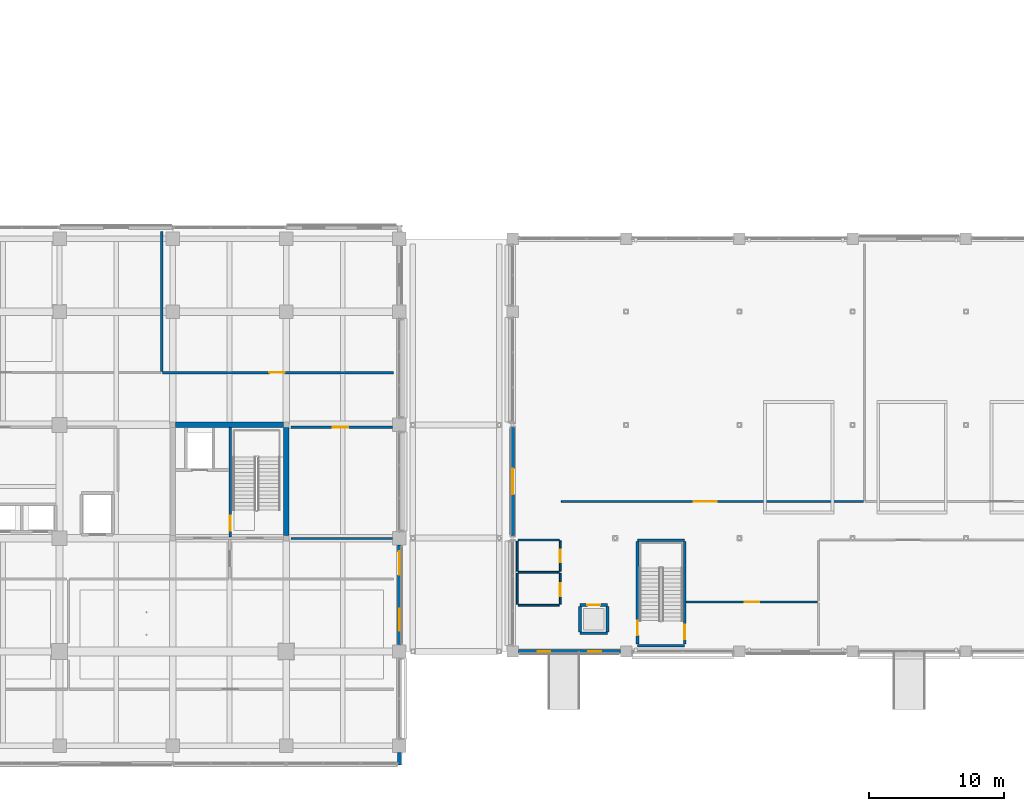
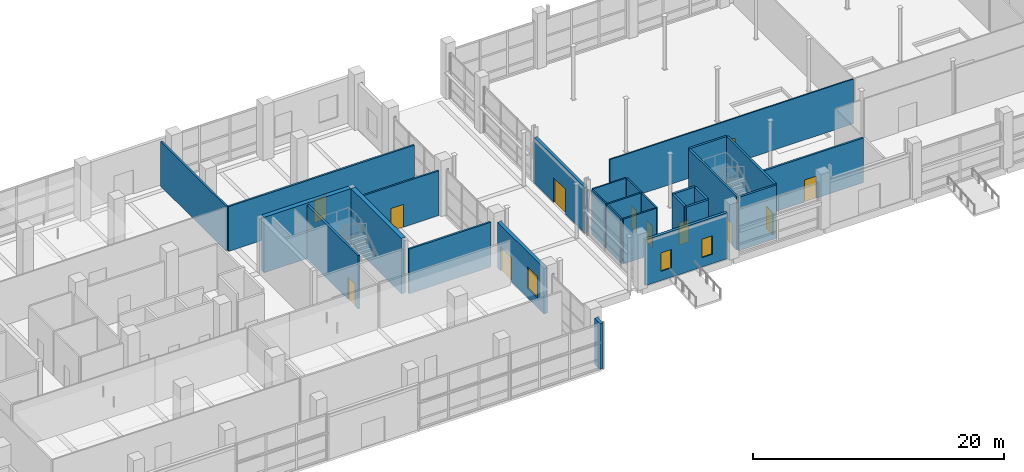
# One storey, part 61 of 140: 28 walls, 12 doors, 3 windows, 15 openings.
"""IFC4 building model written with IfcOpenShell, lengths in metres."""

import ifcopenshell
import ifcopenshell.guid

model = None  # the IFC model being written
_history = None  # IfcOwnerHistory: only IFC2X3 demands one
_inside = {}  # id of a spatial element -> (the spatial element, [elements in it])
_under = {}  # id of a project, library or spatial element -> (it, [spatial elements below it])
_declared = {}  # id of a project -> (the project, [libraries it declares])
_typed = {}  # id of a type object -> (the type object, [elements of that type])
_made_of = {}  # id of a material, layer set ... -> (it, [elements and type objects made of it])


def new_model(schema):
    """Start an empty IFC model of exactly this schema.

    Asked for "IFC4X3", IfcOpenShell would pick the latest addendum, in which some entities
    have other attributes; the version numbers below select the first issue.
    IFC2X3 requires an IfcOwnerHistory on every rooted entity: one is made here for all.
    """
    global model, _history
    if schema == "IFC4X3":
        model = ifcopenshell.file(schema_version=(4, 3, 0, 0))
    else:
        model = ifcopenshell.file(schema=schema)
    _inside.clear()
    _under.clear()
    _declared.clear()
    _typed.clear()
    _made_of.clear()
    _history = None
    if model.schema == "IFC2X3":
        org = make("IfcOrganization", Name="unknown")
        user = make(
            "IfcPersonAndOrganization",
            ThePerson=make("IfcPerson", FamilyName="unknown"),
            TheOrganization=org,
        )
        app = make(
            "IfcApplication",
            ApplicationDeveloper=org,
            Version="unknown",
            ApplicationFullName="unknown",
            ApplicationIdentifier="unknown",
        )
        _history = make(
            "IfcOwnerHistory",
            OwningUser=user,
            OwningApplication=app,
            ChangeAction="ADDED",
            CreationDate=0,
        )
    return model


def make(cls, **values):
    """One entity of the class cls with the attributes given. An attribute that is None is left unset."""
    return model.create_entity(
        cls, **{name: value for name, value in values.items() if value is not None}
    )


def rooted(cls, **values):
    """An entity with a GlobalId (a new one), such as an element, a storey or a relation."""
    return make(cls, GlobalId=ifcopenshell.guid.new(), OwnerHistory=_history, **values)


def si_unit(unit_type, name, prefix=None):
    """IfcSIUnit, for example si_unit("LENGTHUNIT", "METRE", prefix="MILLI")."""
    return make("IfcSIUnit", UnitType=unit_type, Prefix=prefix, Name=name)


def assignment(units):
    """IfcUnitAssignment: the units of a project."""
    return None if units is None else make("IfcUnitAssignment", Units=units)


def point(xyz):
    """IfcCartesianPoint."""
    return None if xyz is None else make("IfcCartesianPoint", Coordinates=xyz)


def direction(xyz):
    """IfcDirection."""
    return None if xyz is None else make("IfcDirection", DirectionRatios=xyz)


def frame(location, z_axis=None, x_axis=None):
    """IfcAxis2Placement3D, a coordinate frame: its origin and axes. An axis left out is left unset."""
    return make(
        "IfcAxis2Placement3D",
        Location=point(location),
        Axis=direction(z_axis),
        RefDirection=direction(x_axis),
    )


def frame_2d(location, x_axis=None):
    """IfcAxis2Placement2D, a coordinate frame in the plane: its origin and x axis."""
    return make(
        "IfcAxis2Placement2D", Location=point(location), RefDirection=direction(x_axis)
    )


def origin():
    """The frame at (0, 0, 0) with its axes left unset."""
    return frame((0.0, 0.0, 0.0))


def place(relative_to, where):
    """IfcLocalPlacement: puts the frame where relative to a parent placement (None: the world)."""
    return make(
        "IfcLocalPlacement", PlacementRelTo=relative_to, RelativePlacement=where
    )


def context(
    kind, dimensions, precision=None, world=None, true_north=None, identifier=None
):
    """IfcGeometricRepresentationContext, for example the 3D "Model" context."""
    return make(
        "IfcGeometricRepresentationContext",
        ContextIdentifier=identifier,
        ContextType=kind,
        CoordinateSpaceDimension=dimensions,
        Precision=precision,
        WorldCoordinateSystem=world,
        TrueNorth=true_north,
    )


def subcontext(parent, identifier, kind, view, scale=None):
    """IfcGeometricRepresentationSubContext, for example "Body" below "Model"."""
    return make(
        "IfcGeometricRepresentationSubContext",
        ContextIdentifier=identifier,
        ContextType=kind,
        ParentContext=parent,
        TargetScale=scale,
        TargetView=view,
    )


def project(units=None, contexts=None):
    """IfcProject with its units and contexts."""
    return rooted(
        "IfcProject",
        Name="project",
        RepresentationContexts=contexts,
        UnitsInContext=assignment(units),
    )


def spatial(cls, under=None, at=None, **own):
    """A site, building, storey or space (cls), placed at a placement, below another one or the project."""
    s = rooted(cls, ObjectPlacement=at, **own)
    if under is not None:
        _under.setdefault(under.id(), (under, []))[1].append(s)
    return s


def profile(cls, at=None, kind="AREA", **sizes):
    """A parametric profile (cls). Its sizes go by their IFC names, for example OverallWidth=200.0."""
    return make(cls, ProfileType=kind, Position=at, **sizes)


def rectangle(**sizes):
    """IfcRectangleProfileDef."""
    return profile("IfcRectangleProfileDef", **sizes)


def extrude(swept, where, along, depth):
    """IfcExtrudedAreaSolid: the profile swept, set in the frame where, extruded along a direction by depth."""
    return make(
        "IfcExtrudedAreaSolid",
        SweptArea=swept,
        Position=where,
        ExtrudedDirection=direction(along),
        Depth=depth,
    )


def shape(context_of_items, identifier, shape_type, items):
    """IfcShapeRepresentation: the items that make up one representation, for example the "Body"."""
    return make(
        "IfcShapeRepresentation",
        ContextOfItems=context_of_items,
        RepresentationIdentifier=identifier,
        RepresentationType=shape_type,
        Items=items,
    )


def material(Name=None, Category=None):
    """IfcMaterial."""
    return make("IfcMaterial", Name=Name, Category=Category)


def layer(
    of_material, thickness, ventilated=None, Name=None, Category=None, Priority=None
):
    """IfcMaterialLayer: one layer of a wall or slab, of a material (None: an air gap)."""
    return make(
        "IfcMaterialLayer",
        Material=of_material,
        LayerThickness=thickness,
        IsVentilated=ventilated,
        Name=Name,
        Category=Category,
        Priority=Priority,
    )


def layer_set(layers, Name=None):
    """IfcMaterialLayerSet."""
    return make("IfcMaterialLayerSet", MaterialLayers=layers, LayerSetName=Name)


def made_of(thing, what):
    """Note that an element or type object is made of a material, layer set ...; save() writes the relation."""
    if what is not None:
        _made_of.setdefault(what.id(), (what, []))[1].append(thing)
    return thing


def type_object(cls, material=None, **own):
    """A type object (cls), such as IfcWallType, which elements share."""
    return made_of(rooted(cls, **own), material)


def element(
    cls,
    number,
    at=None,
    inside=None,
    cuts=None,
    type_object=None,
    material=None,
    context=None,
    identifier="Body",
    shape_type=None,
    held_by="IfcProductDefinitionShape",
    body=None,
    shapes=None,
    **own,
):
    """One element of the class cls, such as IfcWall. Its Tag is "e" and its number.

    at: its placement. inside: the storey or other place that contains it. cuts: it is an
    opening in that element (IfcRelVoidsElement). A single representation is given by context,
    identifier, shape_type and body (its items); several are given by shapes. held_by: the class
    of the entity that holds the representations. save() writes the other relations.
    """
    e = rooted(cls, Tag="e%d" % number, ObjectPlacement=at, **own)
    if body is not None:
        shapes = [shape(context, identifier, shape_type, body)]
    if shapes is not None:
        e.Representation = make(held_by, Representations=shapes)
    if inside is not None:
        _inside.setdefault(inside.id(), (inside, []))[1].append(e)
    if cuts is not None:
        rooted(
            "IfcRelVoidsElement", RelatingBuildingElement=cuts, RelatedOpeningElement=e
        )
    if type_object is not None:
        _typed.setdefault(type_object.id(), (type_object, []))[1].append(e)
    return made_of(e, material)


def fill(opening, filler):
    """IfcRelFillsElement: the door or window that sits in an opening."""
    return rooted(
        "IfcRelFillsElement",
        RelatingOpeningElement=opening,
        RelatedBuildingElement=filler,
    )


def aggregate(whole, parts):
    """IfcRelAggregates: a whole, such as a stair, and the parts it consists of."""
    return rooted("IfcRelAggregates", RelatingObject=whole, RelatedObjects=parts)


def save(model, path):
    """Write the relations noted so far, then the file.

    IfcRelAggregates (storeys below a building ...), IfcRelContainedInSpatialStructure (elements
    in a storey), IfcRelDefinesByType, IfcRelAssociatesMaterial and IfcRelDeclares: one each for
    every whole, place, type object, material and project.
    """
    for whole, parts in _under.values():
        aggregate(whole, parts)
    for where, things in _inside.values():
        rooted(
            "IfcRelContainedInSpatialStructure",
            RelatedElements=things,
            RelatingStructure=where,
        )
    for kind, things in _typed.values():
        rooted("IfcRelDefinesByType", RelatedObjects=things, RelatingType=kind)
    for what, things in _made_of.values():
        rooted("IfcRelAssociatesMaterial", RelatedObjects=things, RelatingMaterial=what)
    for by, libraries in _declared.values():
        rooted("IfcRelDeclares", RelatingContext=by, RelatedDefinitions=libraries)
    model.write(path)


model = new_model("IFC4")

# Units and contexts
model_context = context("Model", 3, precision=1e-05, world=origin(), true_north=direction((0.0, 1.0)))
body_context = subcontext(model_context, "Body", "Model", "MODEL_VIEW")
ifc_project = project(units=[si_unit("LENGTHUNIT", "METRE"), si_unit("AREAUNIT", "SQUARE_METRE"), si_unit("VOLUMEUNIT", "CUBIC_METRE"), si_unit("PLANEANGLEUNIT", "RADIAN"), si_unit("MASSUNIT", "GRAM", prefix="KILO")], contexts=[model_context])

# Site, building, storey
site_placement = place(None, origin())
site = spatial("IfcSite", under=ifc_project, at=site_placement, CompositionType="ELEMENT")
building_placement = place(site_placement, origin())
building = spatial("IfcBuilding", under=site, at=building_placement, Name="Telukmera Botanical Conservatory", CompositionType="ELEMENT")
storey_placement = place(building_placement, origin())
storey = spatial("IfcBuildingStorey", under=building, at=storey_placement, Name="L00", CompositionType="ELEMENT", Elevation=0.0)

# Wall, openings, windows
ifc_material_1 = material(Name="Granite-faced precast concrete C40/50", Category="masonry")
ifc_layer_1 = layer(ifc_material_1, 0.260009765625)
ifc_layer_set_1 = layer_set([ifc_layer_1], Name="Granite-faced precast concrete C40/50")
wall_type_1 = type_object("IfcWallType", Name="Exterior Granite Precast Plinth Wall 260", PredefinedType="SOLIDWALL", material=ifc_layer_set_1)
wall_1_placement = place(storey_placement, frame((118.027099609375, 17.60009765625, 0.0), z_axis=(0.0, 0.0, 1.0), x_axis=(1.0, 0.0, 0.0)))
wall_1 = element("IfcWall", 1, at=wall_1_placement, inside=storey, type_object=wall_type_1, Name="Exterior Precast Wall EW01 V1:L00:S1", PredefinedType="SOLIDWALL", context=body_context, shape_type="SweptSolid", body=[
    extrude(rectangle(XDim=7.5458984375, YDim=0.260009765625, at=frame_2d((3.77294921875, 0.0))), origin(), (0.0, 0.0, 1.0), 4.449951171875),
])
opening_1_placement = place(wall_1_placement, frame((1.41162109375, 0.0, 0.89990234375)))
opening_1 = element("IfcOpeningElement", 2, at=opening_1_placement, cuts=wall_1, Name="Opening W01", PredefinedType="OPENING", context=body_context, shape_type="SweptSolid", body=[
    extrude(rectangle(XDim=0.949951171875, YDim=1.800048828125, at=frame_2d((0.47509765625, 0.89990234375))), frame((0.0, 0.139892578125, 0.0), z_axis=(0.0, -1.0, 0.0), x_axis=(1.0, 0.0, 0.0)), (0.0, 0.0, 1.0), 0.280029296875),
])
opening_2_placement = place(wall_1_placement, frame((5.1845703125, 0.0, 0.89990234375)))
opening_2 = element("IfcOpeningElement", 3, at=opening_2_placement, cuts=wall_1, Name="Opening W01", PredefinedType="OPENING", context=body_context, shape_type="SweptSolid", body=[
    extrude(rectangle(XDim=0.949951171875, YDim=1.800048828125, at=frame_2d((0.47509765625, 0.89990234375))), frame((0.0, 0.139892578125, 0.0), z_axis=(0.0, -1.0, 0.0), x_axis=(1.0, 0.0, 0.0)), (0.0, 0.0, 1.0), 0.280029296875),
])
ifc_material_2 = material(Name="Thermally broken anodised aluminium frame with low-E double glazing", Category="aluminium")
window_type_1 = type_object("IfcWindowType", Name="Single Casement Botanical Office Window 950x1800", PartitioningType="SINGLE_PANEL", PredefinedType="WINDOW", material=ifc_material_2)
window_1_placement = place(opening_1_placement, origin())
window_1 = element("IfcWindow", 4, at=window_1_placement, inside=storey, type_object=window_type_1, Name="Facade Window W01 V1:L00:S1 1", OverallHeight=1.800048828125, OverallWidth=0.949951171875, PartitioningType="SINGLE_PANEL", PredefinedType="WINDOW", context=body_context, shape_type="SweptSolid", body=[
    extrude(rectangle(XDim=0.949951171875, YDim=1.800048828125, at=frame_2d((0.47509765625, 0.89990234375))), frame((0.0, 0.030029296875, 0.0), z_axis=(0.0, -1.0, 0.0), x_axis=(1.0, 0.0, 0.0)), (0.0, 0.0, 1.0), 0.06005859375),
])
fill(opening_1, window_1)
window_2_placement = place(opening_2_placement, origin())
window_2 = element("IfcWindow", 5, at=window_2_placement, inside=storey, type_object=window_type_1, Name="Facade Window W01 V1:L00:S1 2", OverallHeight=1.800048828125, OverallWidth=0.949951171875, PartitioningType="SINGLE_PANEL", PredefinedType="WINDOW", context=body_context, shape_type="SweptSolid", body=[
    extrude(rectangle(XDim=0.949951171875, YDim=1.800048828125, at=frame_2d((0.47509765625, 0.89990234375))), frame((0.0, 0.030029296875, 0.0), z_axis=(0.0, -1.0, 0.0), x_axis=(1.0, 0.0, 0.0)), (0.0, 0.0, 1.0), 0.06005859375),
])
fill(opening_2, window_2)

# Wall, opening, door
wall_2_placement = place(storey_placement, frame((117.60009765625, 26.18603515625, 0.0), z_axis=(0.0, 0.0, 1.0), x_axis=(0.0, 1.0, 0.0)))
wall_2 = element("IfcWall", 6, at=wall_2_placement, inside=storey, type_object=wall_type_1, Name="Exterior Precast Wall EW01 V1:L00:W2", PredefinedType="SOLIDWALL", context=body_context, shape_type="SweptSolid", body=[
    extrude(rectangle(XDim=8.02783203125, YDim=0.260009765625, at=frame_2d((4.013916015625, 0.0))), origin(), (0.0, 0.0, 1.0), 4.449951171875),
])
opening_3_placement = place(wall_2_placement, frame((3.06396484375, 0.0, 0.0)))
opening_3 = element("IfcOpeningElement", 7, at=opening_3_placement, cuts=wall_2, Name="Opening D007", PredefinedType="OPENING", context=body_context, shape_type="SweptSolid", body=[
    extrude(rectangle(XDim=1.89990234375, YDim=2.39990234375, at=frame_2d((0.949951171875, 1.199951171875))), frame((0.0, 0.139892578125, 0.0), z_axis=(0.0, -1.0, 0.0), x_axis=(1.0, 0.0, 0.0)), (0.0, 0.0, 1.0), 0.280029296875),
])
ifc_material_3 = material(Name="Thermally broken anodised aluminium glazed door assembly", Category="aluminium")
door_type_1 = type_object("IfcDoorType", Name="Conservatory Courtyard Link Entrance Door 1900x2400", OperationType="NOTDEFINED", PredefinedType="DOOR", material=ifc_material_3)
door_1_placement = place(opening_3_placement, origin())
door_1 = element("IfcDoor", 8, at=door_1_placement, inside=storey, type_object=door_type_1, Name="Exterior Door D007", OperationType="DOUBLE_DOOR_SINGLE_SWING", OverallHeight=2.39990234375, OverallWidth=1.89990234375, PredefinedType="DOOR", context=body_context, shape_type="SweptSolid", body=[
    extrude(rectangle(XDim=1.89990234375, YDim=2.39990234375, at=frame_2d((0.949951171875, 1.199951171875))), frame((0.0, 0.02490234375, 0.0), z_axis=(0.0, -1.0, 0.0), x_axis=(1.0, 0.0, 0.0)), (0.0, 0.0, 1.0), 0.050048828125),
])
fill(opening_3, door_1)

# Wall
ifc_material_4 = material(Name="Terracotta-faced precast concrete C40/50", Category="masonry")
ifc_layer_2 = layer(ifc_material_4, 0.300048828125)
ifc_layer_set_2 = layer_set([ifc_layer_2], Name="Terracotta-faced precast concrete C40/50")
wall_type_2 = type_object("IfcWallType", Name="Exterior Polychrome Terracotta Precast Wall 300", PredefinedType="SOLIDWALL", material=ifc_layer_set_2)
wall_3_placement = place(storey_placement, frame((109.199951171875, 9.199951171875, 0.0), z_axis=(0.0, 0.0, 1.0), x_axis=(0.0, 1.0, 0.0)))
element("IfcWall", 9, at=wall_3_placement, inside=storey, type_object=wall_type_2, Name="Exterior Precast Wall EW02 V4:L00:SEC", PredefinedType="SOLIDWALL", context=body_context, shape_type="SweptSolid", body=[
    extrude(rectangle(XDim=0.89794921875, YDim=0.300048828125, at=frame_2d((0.448974609375, 0.0))), origin(), (0.0, 0.0, 1.0), 4.449951171875),
])

# Wall, openings, window, door
wall_4_placement = place(storey_placement, frame((109.199951171875, 18.10205078125, 0.0), z_axis=(0.0, 0.0, 1.0), x_axis=(0.0, 1.0, 0.0)))
wall_4 = element("IfcWall", 10, at=wall_4_placement, inside=storey, type_object=wall_type_2, Name="Exterior Precast Wall EW02 V4:L00:E2", PredefinedType="SOLIDWALL", context=body_context, shape_type="SweptSolid", body=[
    extrude(rectangle(XDim=7.39599609375, YDim=0.300048828125, at=frame_2d((3.697998046875, 0.0))), origin(), (0.0, 0.0, 1.0), 4.449951171875),
])
opening_4_placement = place(wall_4_placement, frame((5.173095703125, 0.0, 0.0)))
opening_4 = element("IfcOpeningElement", 11, at=opening_4_placement, cuts=wall_4, Name="Opening D013", PredefinedType="OPENING", context=body_context, shape_type="SweptSolid", body=[
    extrude(rectangle(XDim=1.75, YDim=2.35009765625, at=frame_2d((0.875, 1.175048828125))), frame((0.0, 0.159912109375, 0.0), z_axis=(0.0, -1.0, 0.0), x_axis=(1.0, 0.0, 0.0)), (0.0, 0.0, 1.0), 0.320068359375),
])
opening_5_placement = place(wall_4_placement, frame((1.049072265625, 0.0, 0.89990234375)))
opening_5 = element("IfcOpeningElement", 12, at=opening_5_placement, cuts=wall_4, Name="Opening W07", PredefinedType="OPENING", context=body_context, shape_type="SweptSolid", body=[
    extrude(rectangle(XDim=1.60009765625, YDim=2.10009765625, at=frame_2d((0.800048828125, 1.050048828125))), frame((0.0, 0.159912109375, 0.0), z_axis=(0.0, -1.0, 0.0), x_axis=(1.0, 0.0, 0.0)), (0.0, 0.0, 1.0), 0.320068359375),
])
window_type_2 = type_object("IfcWindowType", Name="Double Vertical Curation Study Window 1600x2100", PartitioningType="DOUBLE_PANEL_VERTICAL", PredefinedType="WINDOW", material=ifc_material_2)
window_3_placement = place(opening_5_placement, origin())
window_3 = element("IfcWindow", 13, at=window_3_placement, inside=storey, type_object=window_type_2, Name="Facade Window W07 V4:L00:E2 1", OverallHeight=2.10009765625, OverallWidth=1.60009765625, PartitioningType="DOUBLE_PANEL_VERTICAL", PredefinedType="WINDOW", context=body_context, shape_type="SweptSolid", body=[
    extrude(rectangle(XDim=1.60009765625, YDim=2.10009765625, at=frame_2d((0.800048828125, 1.050048828125))), frame((0.0, 0.030029296875, 0.0), z_axis=(0.0, -1.0, 0.0), x_axis=(1.0, 0.0, 0.0)), (0.0, 0.0, 1.0), 0.06005859375),
])
fill(opening_5, window_3)
door_type_2 = type_object("IfcDoorType", Name="Protected Stair Exit Vestibule Final Exit Door 1750x2350", OperationType="NOTDEFINED", PredefinedType="DOOR", material=ifc_material_3)
door_2_placement = place(opening_4_placement, frame((1.75, 0.0, 0.0), z_axis=(0.0, 0.0, 1.0), x_axis=(-1.0, 0.0, 0.0)))
door_2 = element("IfcDoor", 14, at=door_2_placement, inside=storey, type_object=door_type_2, Name="Exterior Door D013", OperationType="DOUBLE_DOOR_SINGLE_SWING", OverallHeight=2.35009765625, OverallWidth=1.75, PredefinedType="DOOR", context=body_context, shape_type="SweptSolid", body=[
    extrude(rectangle(XDim=1.75, YDim=2.35009765625, at=frame_2d((0.875, 1.175048828125))), frame((0.0, 0.02490234375, 0.0), z_axis=(0.0, -1.0, 0.0), x_axis=(1.0, 0.0, 0.0)), (0.0, 0.0, 1.0), 0.050048828125),
])
fill(opening_4, door_2)

# Wall, opening, door
ifc_material_5 = material(Name="Concrete C40/50", Category="concrete")
ifc_layer_3 = layer(ifc_material_5, 0.199951171875)
ifc_layer_set_3 = layer_set([ifc_layer_3], Name="Concrete C40/50")
wall_type_3 = type_object("IfcWallType", Name="WT-CORE-200", PredefinedType="SOLIDWALL", material=ifc_layer_set_3)
wall_5_placement = place(storey_placement, frame((96.64990234375, 26.10009765625, 0.0), z_axis=(0.0, 0.0, 1.0), x_axis=(0.0, 1.0, 0.0)))
wall_5 = element("IfcWall", 15, at=wall_5_placement, inside=storey, type_object=wall_type_3, Name="L00 Core C2 Stair-Lobby Wall", PredefinedType="SOLIDWALL", context=body_context, shape_type="SweptSolid", body=[
    extrude(rectangle(XDim=8.099853515625, YDim=0.199951171875, at=frame_2d((4.0498046875, 0.0))), origin(), (0.0, 0.0, 1.0), 5.199951171875),
])
opening_6_placement = place(wall_5_placement, frame((0.449951171875, 0.0, 0.0)))
opening_6 = element("IfcOpeningElement", 16, at=opening_6_placement, cuts=wall_5, Name="Opening FD60B", PredefinedType="OPENING", context=body_context, shape_type="SweptSolid", body=[
    extrude(rectangle(XDim=1.1201171875, YDim=2.14990234375, at=frame_2d((0.56005859375, 1.074951171875))), frame((0.0, 0.10986328125, 0.0), z_axis=(0.0, -1.0, 0.0), x_axis=(1.0, 0.0, 0.0)), (0.0, 0.0, 1.0), 0.219970703125),
])
ifc_material_6 = material(Name="Hardwood fire door", Category="wood")
door_type_3 = type_object("IfcDoorType", Name="DT-FD60-02", OperationType="NOTDEFINED", PredefinedType="DOOR", material=ifc_material_6)
door_3_placement = place(opening_6_placement, origin())
door_3 = element("IfcDoor", 17, at=door_3_placement, inside=storey, type_object=door_type_3, Name="L00 Firefighting Lobby C2 to ST2 Door", OperationType="SINGLE_SWING_LEFT", OverallHeight=2.14990234375, OverallWidth=1.1201171875, PredefinedType="DOOR", context=body_context, shape_type="SweptSolid", body=[
    extrude(rectangle(XDim=1.1201171875, YDim=2.14990234375, at=frame_2d((0.56005859375, 1.074951171875))), frame((0.0, 0.02490234375, 0.0), z_axis=(0.0, -1.0, 0.0), x_axis=(1.0, 0.0, 0.0)), (0.0, 0.0, 1.0), 0.050048828125),
])
fill(opening_6, door_3)

wall_6_placement = place(storey_placement, frame((122.580078125, 21.050048828125, 0.0), z_axis=(0.0, 0.0, 1.0), x_axis=(1.0, 0.0, 0.0)))
wall_6 = element("IfcWall", 18, at=wall_6_placement, inside=storey, type_object=wall_type_3, Name="L00 Lift CL1 Front Wall", PredefinedType="SOLIDWALL", context=body_context, shape_type="SweptSolid", body=[
    extrude(rectangle(XDim=2.0400390625, YDim=0.199951171875, at=frame_2d((1.02001953125, 0.0))), origin(), (0.0, 0.0, 1.0), 5.199951171875),
])
opening_7_placement = place(wall_6_placement, frame((0.544921875, 0.0, 0.0)))
opening_7 = element("IfcOpeningElement", 19, at=opening_7_placement, cuts=wall_6, Name="Opening LD04", PredefinedType="OPENING", context=body_context, shape_type="SweptSolid", body=[
    extrude(rectangle(XDim=0.949951171875, YDim=2.14990234375, at=frame_2d((0.47509765625, 1.074951171875))), frame((0.0, 0.10986328125, 0.0), z_axis=(0.0, -1.0, 0.0), x_axis=(1.0, 0.0, 0.0)), (0.0, 0.0, 1.0), 0.219970703125),
])
ifc_material_7 = material(Name="Anodised aluminium and glass", Category="aluminium")
door_type_4 = type_object("IfcDoorType", Name="DT-LD04", OperationType="SLIDING_TO_LEFT", PredefinedType="DOOR", material=ifc_material_7)
door_4_placement = place(opening_7_placement, origin())
door_4 = element("IfcDoor", 20, at=door_4_placement, inside=storey, type_object=door_type_4, Name="L00 Lift Landing Door CL1", OperationType="SLIDING_TO_LEFT", OverallHeight=2.14990234375, OverallWidth=0.949951171875, PredefinedType="DOOR", context=body_context, shape_type="SweptSolid", body=[
    extrude(rectangle(XDim=0.949951171875, YDim=2.14990234375, at=frame_2d((0.47509765625, 1.074951171875))), frame((0.0, 0.02490234375, 0.0), z_axis=(0.0, -1.0, 0.0), x_axis=(1.0, 0.0, 0.0)), (0.0, 0.0, 1.0), 0.050048828125),
])
fill(opening_7, door_4)

# Walls
wall_7_placement = place(storey_placement, frame((122.580078125, 18.949951171875, 0.0), z_axis=(0.0, 0.0, 1.0), x_axis=(1.0, 0.0, 0.0)))
element("IfcWall", 21, at=wall_7_placement, inside=storey, type_object=wall_type_3, Name="L00 Lift CL1 Rear Wall", PredefinedType="SOLIDWALL", context=body_context, shape_type="SweptSolid", body=[
    extrude(rectangle(XDim=2.0400390625, YDim=0.199951171875, at=frame_2d((1.02001953125, 0.0))), origin(), (0.0, 0.0, 1.0), 5.199951171875),
])
for number, where, z_axis, x_axis, name in (
    (22, (122.580078125, 19.050048828125, 0.0), (0.0, 0.0, 1.0), (0.0, 1.0, 0.0), "L00 Lift CL1 W Wall"),
    (23, (124.6201171875, 19.050048828125, 0.0), (0.0, 0.0, 1.0), (0.0, 1.0, 0.0), "L00 Lift CL1 E Wall"),
):
    element("IfcWall", number, at=place(storey_placement, frame(where, z_axis=z_axis, x_axis=x_axis)), inside=storey, type_object=wall_type_3, Name=name, PredefinedType="SOLIDWALL", context=body_context, shape_type="SweptSolid", body=[
        extrude(rectangle(XDim=1.89990234375, YDim=0.199951171875, at=frame_2d((0.949951171875, 0.0))), origin(), (0.0, 0.0, 1.0), 5.199951171875),
    ])

# Wall, opening, door
ifc_material_8 = material(Name="Aluminium framed acoustic glass", Category="aluminium")
ifc_layer_4 = layer(ifc_material_8, 0.1201171875)
ifc_layer_set_4 = layer_set([ifc_layer_4], Name="Aluminium framed acoustic glass")
wall_type_4 = type_object("IfcWallType", Name="WT-GLAZ-120", PredefinedType="PARTITIONING", material=ifc_layer_set_4)
wall_8_placement = place(storey_placement, frame((121.199951171875, 28.72509765625, 0.0), z_axis=(0.0, 0.0, 1.0), x_axis=(1.0, 0.0, 0.0)))
wall_8 = element("IfcWall", 24, at=wall_8_placement, inside=storey, type_object=wall_type_4, Name="L00 Interior Partition 28", PredefinedType="PARTITIONING", context=body_context, shape_type="SweptSolid", body=[
    extrude(rectangle(XDim=22.400146484375, YDim=0.1201171875, at=frame_2d((11.2001953125, 0.0))), origin(), (0.0, 0.0, 1.0), 4.35009765625),
])
opening_8_placement = place(wall_8_placement, frame((9.826416015625, 0.0, 0.0)))
opening_8 = element("IfcOpeningElement", 25, at=opening_8_placement, cuts=wall_8, Name="Opening ID02", PredefinedType="OPENING", context=body_context, shape_type="SweptSolid", body=[
    extrude(rectangle(XDim=1.699951171875, YDim=2.39990234375, at=frame_2d((0.85009765625, 1.199951171875))), frame((0.0, 0.070068359375, 0.0), z_axis=(0.0, -1.0, 0.0), x_axis=(1.0, 0.0, 0.0)), (0.0, 0.0, 1.0), 0.14013671875),
])
ifc_material_9 = material(Name="Thermally broken aluminium glass door", Category="aluminium")
door_type_5 = type_object("IfcDoorType", Name="DT-BIOME-170", OperationType="NOTDEFINED", PredefinedType="DOOR", material=ifc_material_9)
door_5_placement = place(opening_8_placement, origin())
door_5 = element("IfcDoor", 26, at=door_5_placement, inside=storey, type_object=door_type_5, Name="L00 Conservatory Lowland Biome Door", OperationType="SINGLE_SWING_LEFT", OverallHeight=2.39990234375, OverallWidth=1.699951171875, PredefinedType="DOOR", context=body_context, shape_type="SweptSolid", body=[
    extrude(rectangle(XDim=1.699951171875, YDim=2.39990234375, at=frame_2d((0.85009765625, 1.199951171875))), frame((0.0, 0.02490234375, 0.0), z_axis=(0.0, -1.0, 0.0), x_axis=(1.0, 0.0, 0.0)), (0.0, 0.0, 1.0), 0.050048828125),
])
fill(opening_8, door_5)

ifc_material_10 = material(Name="Gypsum acoustic stud partition")
ifc_layer_5 = layer(ifc_material_10, 0.159912109375)
ifc_layer_set_5 = layer_set([ifc_layer_5], Name="Gypsum acoustic stud partition")
wall_type_5 = type_object("IfcWallType", Name="WT-LAB-160", PredefinedType="PARTITIONING", material=ifc_layer_set_5)
wall_9_placement = place(storey_placement, frame((101.14990234375, 34.22509765625, 0.0), z_axis=(0.0, 0.0, 1.0), x_axis=(1.0, 0.0, 0.0)))
wall_9 = element("IfcWall", 27, at=wall_9_placement, inside=storey, type_object=wall_type_5, Name="L00 Interior Partition 74", PredefinedType="PARTITIONING", context=body_context, shape_type="SweptSolid", body=[
    extrude(rectangle(XDim=7.52001953125, YDim=0.159912109375, at=frame_2d((3.760009765625, 0.0))), origin(), (0.0, 0.0, 1.0), 4.35009765625),
])
opening_9_placement = place(wall_9_placement, frame((3.114501953125, 0.0, 0.0)))
opening_9 = element("IfcOpeningElement", 28, at=opening_9_placement, cuts=wall_9, Name="Opening ID10", PredefinedType="OPENING", context=body_context, shape_type="SweptSolid", body=[
    extrude(rectangle(XDim=1.139892578125, YDim=2.219970703125, at=frame_2d((0.56982421875, 1.10986328125))), frame((0.0, 0.08984375, 0.0), z_axis=(0.0, -1.0, 0.0), x_axis=(1.0, 0.0, 0.0)), (0.0, 0.0, 1.0), 0.179931640625),
])
ifc_material_11 = material(Name="Sealed steel herbarium door", Category="steel")
door_type_6 = type_object("IfcDoorType", Name="DT-HERB-114", OperationType="NOTDEFINED", PredefinedType="DOOR", material=ifc_material_11)
door_6_placement = place(opening_9_placement, frame((1.139892578125, 0.0, 0.0), z_axis=(0.0, 0.0, 1.0), x_axis=(-1.0, 0.0, 0.0)))
door_6 = element("IfcDoor", 29, at=door_6_placement, inside=storey, type_object=door_type_6, Name="L00 Herbarium Receiving Room Door", OperationType="SINGLE_SWING_RIGHT", OverallHeight=2.219970703125, OverallWidth=1.139892578125, PredefinedType="DOOR", context=body_context, shape_type="SweptSolid", body=[
    extrude(rectangle(XDim=1.139892578125, YDim=2.219970703125, at=frame_2d((0.56982421875, 1.10986328125))), frame((0.0, 0.02490234375, 0.0), z_axis=(0.0, -1.0, 0.0), x_axis=(1.0, 0.0, 0.0)), (0.0, 0.0, 1.0), 0.050048828125),
])
fill(opening_9, door_6)

ifc_material_12 = material(Name="Blockwork masonry", Category="masonry")
ifc_layer_6 = layer(ifc_material_12, 0.169921875)
ifc_layer_set_6 = layer_set([ifc_layer_6], Name="Blockwork masonry")
wall_type_6 = type_object("IfcWallType", Name="WT-PLANT-170", PredefinedType="PARTITIONING", material=ifc_layer_set_6)
wall_10_placement = place(storey_placement, frame((130.449951171875, 21.27490234375, 0.0), z_axis=(0.0, 0.0, 1.0), x_axis=(1.0, 0.0, 0.0)))
wall_10 = element("IfcWall", 30, at=wall_10_placement, inside=storey, type_object=wall_type_6, Name="L00 Interior Partition 24", PredefinedType="PARTITIONING", context=body_context, shape_type="SweptSolid", body=[
    extrude(rectangle(XDim=9.75, YDim=0.169921875, at=frame_2d((4.875, 0.0))), origin(), (0.0, 0.0, 1.0), 4.35009765625),
])
opening_10_placement = place(wall_10_placement, frame((4.3349609375, 0.0, 0.0)))
opening_10 = element("IfcOpeningElement", 31, at=opening_10_placement, cuts=wall_10, Name="Opening FD60E", PredefinedType="OPENING", context=body_context, shape_type="SweptSolid", body=[
    extrude(rectangle(XDim=1.080078125, YDim=2.14990234375, at=frame_2d((0.5400390625, 1.074951171875))), frame((0.0, 0.094970703125, 0.0), z_axis=(0.0, -1.0, 0.0), x_axis=(1.0, 0.0, 0.0)), (0.0, 0.0, 1.0), 0.18994140625),
])
door_type_7 = type_object("IfcDoorType", Name="DT-FD60-05", OperationType="NOTDEFINED", PredefinedType="DOOR", material=ifc_material_6)
door_7_placement = place(opening_10_placement, frame((1.080078125, 0.0, 0.0), z_axis=(0.0, 0.0, 1.0), x_axis=(-1.0, 0.0, 0.0)))
door_7 = element("IfcDoor", 32, at=door_7_placement, inside=storey, type_object=door_type_7, Name="L00 ST5 Exit Vestibule Corridor Fire Door", OperationType="SINGLE_SWING_RIGHT", OverallHeight=2.14990234375, OverallWidth=1.080078125, PredefinedType="DOOR", context=body_context, shape_type="SweptSolid", body=[
    extrude(rectangle(XDim=1.080078125, YDim=2.14990234375, at=frame_2d((0.5400390625, 1.074951171875))), frame((0.0, 0.02490234375, 0.0), z_axis=(0.0, -1.0, 0.0), x_axis=(1.0, 0.0, 0.0)), (0.0, 0.0, 1.0), 0.050048828125),
])
fill(opening_10, door_7)

# Wall
wall_11_placement = place(storey_placement, frame((101.14990234375, 25.97509765625, 0.0), z_axis=(0.0, 0.0, 1.0), x_axis=(1.0, 0.0, 0.0)))
element("IfcWall", 33, at=wall_11_placement, inside=storey, type_object=wall_type_6, Name="L00 Interior Partition 73", PredefinedType="PARTITIONING", context=body_context, shape_type="SweptSolid", body=[
    extrude(rectangle(XDim=7.52001953125, YDim=0.169921875, at=frame_2d((3.760009765625, 0.0))), origin(), (0.0, 0.0, 1.0), 4.35009765625),
])

# Wall, opening, door
wall_12_placement = place(storey_placement, frame((91.64990234375, 38.27490234375, 0.0), z_axis=(0.0, 0.0, 1.0), x_axis=(1.0, 0.0, 0.0)))
wall_12 = element("IfcWall", 34, at=wall_12_placement, inside=storey, type_object=wall_type_6, Name="L00 Interior Partition 90", PredefinedType="PARTITIONING", context=body_context, shape_type="SweptSolid", body=[
    extrude(rectangle(XDim=17.10009765625, YDim=0.169921875, at=frame_2d((8.550048828125, 0.0))), origin(), (0.0, 0.0, 1.0), 4.35009765625),
])
opening_11_placement = place(wall_12_placement, frame((7.905029296875, 0.0, 0.0)))
opening_11 = element("IfcOpeningElement", 35, at=opening_11_placement, cuts=wall_12, Name="Opening ID10", PredefinedType="OPENING", context=body_context, shape_type="SweptSolid", body=[
    extrude(rectangle(XDim=1.139892578125, YDim=2.219970703125, at=frame_2d((0.56982421875, 1.10986328125))), frame((0.0, 0.094970703125, 0.0), z_axis=(0.0, -1.0, 0.0), x_axis=(1.0, 0.0, 0.0)), (0.0, 0.0, 1.0), 0.18994140625),
])
door_8_placement = place(opening_11_placement, origin())
door_8 = element("IfcDoor", 36, at=door_8_placement, inside=storey, type_object=door_type_6, Name="L00 Herbarium Quarantine Airlock Room Door", OperationType="SINGLE_SWING_LEFT", OverallHeight=2.219970703125, OverallWidth=1.139892578125, PredefinedType="DOOR", context=body_context, shape_type="SweptSolid", body=[
    extrude(rectangle(XDim=1.139892578125, YDim=2.219970703125, at=frame_2d((0.56982421875, 1.10986328125))), frame((0.0, 0.02490234375, 0.0), z_axis=(0.0, -1.0, 0.0), x_axis=(1.0, 0.0, 0.0)), (0.0, 0.0, 1.0), 0.050048828125),
])
fill(opening_11, door_8)

# Walls
wall_13_placement = place(storey_placement, frame((91.574951171875, 38.3701171875, 0.0), z_axis=(0.0, 0.0, 1.0), x_axis=(0.0, 1.0, 0.0)))
element("IfcWall", 37, at=wall_13_placement, inside=storey, type_object=wall_type_6, Name="L00 Interior Partition 92", PredefinedType="PARTITIONING", context=body_context, shape_type="SweptSolid", body=[
    extrude(rectangle(XDim=10.3798828125, YDim=0.169921875, at=frame_2d((5.18994140625, 0.0))), origin(), (0.0, 0.0, 1.0), 4.35009765625),
])
ifc_layer_7 = layer(ifc_material_5, 0.18994140625)
ifc_layer_set_7 = layer_set([ifc_layer_7], Name="Concrete C40/50")
wall_type_7 = type_object("IfcWallType", Name="WT-STAIR-190", PredefinedType="SOLIDWALL", material=ifc_layer_set_7)
for number, where, z_axis, x_axis, name in (
    (38, (126.85009765625, 18.0400390625, 0.0), (0.0, 0.0, 1.0), (1.0, 0.0, 0.0), "L00 Stair ST5 South Wall"),
    (39, (126.85009765625, 25.840087890625, 0.0), (0.0, 0.0, 1.0), (1.0, 0.0, 0.0), "L00 Stair ST5 North Wall"),
):
    element("IfcWall", number, at=place(storey_placement, frame(where, z_axis=z_axis, x_axis=x_axis)), inside=storey, type_object=wall_type_7, Name=name, PredefinedType="SOLIDWALL", context=body_context, shape_type="SweptSolid", body=[
        extrude(rectangle(XDim=3.5, YDim=0.18994140625, at=frame_2d((1.75, 0.0))), origin(), (0.0, 0.0, 1.0), 5.199951171875),
    ])

# Wall, opening, door
wall_14_placement = place(storey_placement, frame((126.85009765625, 18.139892578125, 0.0), z_axis=(0.0, 0.0, 1.0), x_axis=(0.0, 1.0, 0.0)))
wall_14 = element("IfcWall", 40, at=wall_14_placement, inside=storey, type_object=wall_type_7, Name="L00 Stair ST5 West Wall", PredefinedType="SOLIDWALL", context=body_context, shape_type="SweptSolid", body=[
    extrude(rectangle(XDim=7.60009765625, YDim=0.18994140625, at=frame_2d((3.800048828125, 0.0))), origin(), (0.0, 0.0, 1.0), 5.199951171875),
])
opening_12_placement = place(wall_14_placement, frame((0.659912109375, 0.0, 0.0)))
opening_12 = element("IfcOpeningElement", 41, at=opening_12_placement, cuts=wall_14, Name="Opening FD60E", PredefinedType="OPENING", context=body_context, shape_type="SweptSolid", body=[
    extrude(rectangle(XDim=1.080078125, YDim=2.14990234375, at=frame_2d((0.5400390625, 1.074951171875))), frame((0.0, 0.10498046875, 0.0), z_axis=(0.0, -1.0, 0.0), x_axis=(1.0, 0.0, 0.0)), (0.0, 0.0, 1.0), 0.2099609375),
])
door_9_placement = place(opening_12_placement, origin())
door_9 = element("IfcDoor", 42, at=door_9_placement, inside=storey, type_object=door_type_7, Name="L00 Stair ST5 Door", OperationType="SINGLE_SWING_RIGHT", OverallHeight=2.14990234375, OverallWidth=1.080078125, PredefinedType="DOOR", context=body_context, shape_type="SweptSolid", body=[
    extrude(rectangle(XDim=1.080078125, YDim=2.14990234375, at=frame_2d((0.5400390625, 1.074951171875))), frame((0.0, 0.02490234375, 0.0), z_axis=(0.0, -1.0, 0.0), x_axis=(1.0, 0.0, 0.0)), (0.0, 0.0, 1.0), 0.050048828125),
])
fill(opening_12, door_9)

wall_15_placement = place(storey_placement, frame((130.35009765625, 18.139892578125, 0.0), z_axis=(0.0, 0.0, 1.0), x_axis=(0.0, 1.0, 0.0)))
wall_15 = element("IfcWall", 43, at=wall_15_placement, inside=storey, type_object=wall_type_7, Name="L00 Stair ST5 East Wall", PredefinedType="SOLIDWALL", context=body_context, shape_type="SweptSolid", body=[
    extrude(rectangle(XDim=7.60009765625, YDim=0.18994140625, at=frame_2d((3.800048828125, 0.0))), origin(), (0.0, 0.0, 1.0), 5.199951171875),
])
opening_13_placement = place(wall_15_placement, frame((0.360107421875, 0.0, 0.0)))
opening_13 = element("IfcOpeningElement", 44, at=opening_13_placement, cuts=wall_15, Name="Opening FD60E", PredefinedType="OPENING", context=body_context, shape_type="SweptSolid", body=[
    extrude(rectangle(XDim=1.080078125, YDim=2.14990234375, at=frame_2d((0.5400390625, 1.074951171875))), frame((0.0, 0.10498046875, 0.0), z_axis=(0.0, -1.0, 0.0), x_axis=(1.0, 0.0, 0.0)), (0.0, 0.0, 1.0), 0.2099609375),
])
door_10_placement = place(opening_13_placement, frame((1.080078125, 0.0, 0.0), z_axis=(0.0, 0.0, 1.0), x_axis=(-1.0, 0.0, 0.0)))
door_10 = element("IfcDoor", 45, at=door_10_placement, inside=storey, type_object=door_type_7, Name="L00 Stair ST5 Exit Discharge Door", OperationType="SINGLE_SWING_LEFT", OverallHeight=2.14990234375, OverallWidth=1.080078125, PredefinedType="DOOR", context=body_context, shape_type="SweptSolid", body=[
    extrude(rectangle(XDim=1.080078125, YDim=2.14990234375, at=frame_2d((0.5400390625, 1.074951171875))), frame((0.0, 0.02490234375, 0.0), z_axis=(0.0, -1.0, 0.0), x_axis=(1.0, 0.0, 0.0)), (0.0, 0.0, 1.0), 0.050048828125),
])
fill(opening_13, door_10)

ifc_material_13 = material(Name="Moisture-resistant blockwork", Category="masonry")
ifc_layer_8 = layer(ifc_material_13, 0.135009765625)
ifc_layer_set_8 = layer_set([ifc_layer_8], Name="Moisture-resistant blockwork")
wall_type_8 = type_object("IfcWallType", Name="WT-WC-135", PredefinedType="PARTITIONING", material=ifc_layer_set_8)
wall_16_placement = place(storey_placement, frame((121.125, 21.10009765625, 0.0), z_axis=(0.0, 0.0, 1.0), x_axis=(0.0, 1.0, 0.0)))
wall_16 = element("IfcWall", 46, at=wall_16_placement, inside=storey, type_object=wall_type_8, Name="L00 Interior Partition 22", PredefinedType="PARTITIONING", context=body_context, shape_type="SweptSolid", body=[
    extrude(rectangle(XDim=2.2998046875, YDim=0.135009765625, at=frame_2d((1.14990234375, 0.0))), origin(), (0.0, 0.0, 1.0), 4.35009765625),
])
opening_14_placement = place(wall_16_placement, frame((0.577880859375, 0.0, 0.0)))
opening_14 = element("IfcOpeningElement", 47, at=opening_14_placement, cuts=wall_16, Name="Opening ID15", PredefinedType="OPENING", context=body_context, shape_type="SweptSolid", body=[
    extrude(rectangle(XDim=0.97998046875, YDim=2.14990234375, at=frame_2d((0.489990234375, 1.074951171875))), frame((0.0, 0.077392578125, 0.0), z_axis=(0.0, -1.0, 0.0), x_axis=(1.0, 0.0, 0.0)), (0.0, 0.0, 1.0), 0.155029296875),
])
ifc_material_14 = material(Name="Accessible sanitary laminate door")
door_type_8 = type_object("IfcDoorType", Name="DT-OKU-098", OperationType="NOTDEFINED", PredefinedType="DOOR", material=ifc_material_14)
door_11_placement = place(opening_14_placement, frame((0.97998046875, 0.0, 0.0), z_axis=(0.0, 0.0, 1.0), x_axis=(-1.0, 0.0, 0.0)))
door_11 = element("IfcDoor", 48, at=door_11_placement, inside=storey, type_object=door_type_8, Name="L00 Accessible WC Door", OperationType="SINGLE_SWING_LEFT", OverallHeight=2.14990234375, OverallWidth=0.97998046875, PredefinedType="DOOR", context=body_context, shape_type="SweptSolid", body=[
    extrude(rectangle(XDim=0.97998046875, YDim=2.14990234375, at=frame_2d((0.489990234375, 1.074951171875))), frame((0.0, 0.02490234375, 0.0), z_axis=(0.0, -1.0, 0.0), x_axis=(1.0, 0.0, 0.0)), (0.0, 0.0, 1.0), 0.050048828125),
])
fill(opening_14, door_11)

wall_17_placement = place(storey_placement, frame((121.125, 23.550048828125, 0.0), z_axis=(0.0, 0.0, 1.0), x_axis=(0.0, 1.0, 0.0)))
wall_17 = element("IfcWall", 49, at=wall_17_placement, inside=storey, type_object=wall_type_8, Name="L00 Interior Partition 23", PredefinedType="PARTITIONING", context=body_context, shape_type="SweptSolid", body=[
    extrude(rectangle(XDim=2.25, YDim=0.135009765625, at=frame_2d((1.125, 0.0))), origin(), (0.0, 0.0, 1.0), 4.35009765625),
])
opening_15_placement = place(wall_17_placement, frame((0.6650390625, 0.0, 0.0)))
opening_15 = element("IfcOpeningElement", 50, at=opening_15_placement, cuts=wall_17, Name="Opening ID17", PredefinedType="OPENING", context=body_context, shape_type="SweptSolid", body=[
    extrude(rectangle(XDim=0.919921875, YDim=2.1201171875, at=frame_2d((0.4599609375, 1.06005859375))), frame((0.0, 0.077392578125, 0.0), z_axis=(0.0, -1.0, 0.0), x_axis=(1.0, 0.0, 0.0)), (0.0, 0.0, 1.0), 0.155029296875),
])
ifc_material_15 = material(Name="Moisture-resistant laminate WC door")
door_type_9 = type_object("IfcDoorType", Name="DT-WC-092", OperationType="NOTDEFINED", PredefinedType="DOOR", material=ifc_material_15)
door_12_placement = place(opening_15_placement, frame((0.919921875, 0.0, 0.0), z_axis=(0.0, 0.0, 1.0), x_axis=(-1.0, 0.0, 0.0)))
door_12 = element("IfcDoor", 51, at=door_12_placement, inside=storey, type_object=door_type_9, Name="L00 Public WC Door", OperationType="SINGLE_SWING_RIGHT", OverallHeight=2.1201171875, OverallWidth=0.919921875, PredefinedType="DOOR", context=body_context, shape_type="SweptSolid", body=[
    extrude(rectangle(XDim=0.919921875, YDim=2.1201171875, at=frame_2d((0.4599609375, 1.06005859375))), frame((0.0, 0.02490234375, 0.0), z_axis=(0.0, -1.0, 0.0), x_axis=(1.0, 0.0, 0.0)), (0.0, 0.0, 1.0), 0.050048828125),
])
fill(opening_15, door_12)

# Walls
wall_18_placement = place(storey_placement, frame((118.0, 23.47509765625, 0.0), z_axis=(0.0, 0.0, 1.0), x_axis=(1.0, 0.0, 0.0)))
element("IfcWall", 52, at=wall_18_placement, inside=storey, type_object=wall_type_8, Name="L00 Interior Partition 27", PredefinedType="PARTITIONING", context=body_context, shape_type="SweptSolid", body=[
    extrude(rectangle(XDim=3.050048828125, YDim=0.135009765625, at=frame_2d((1.52490234375, 0.0))), origin(), (0.0, 0.0, 1.0), 4.35009765625),
])
wall_19_placement = place(storey_placement, frame((118.0, 21.032470703125, 0.0), z_axis=(0.0, 0.0, 1.0), x_axis=(1.0, 0.0, 0.0)))
element("IfcWall", 53, at=wall_19_placement, inside=storey, type_object=wall_type_8, Name="L00 WC Enclosure Partition 03", PredefinedType="PARTITIONING", context=body_context, shape_type="SweptSolid", body=[
    extrude(rectangle(XDim=3.047607421875, YDim=0.135009765625, at=frame_2d((1.52392578125, 0.0))), origin(), (0.0, 0.0, 1.0), 4.35009765625),
])
wall_20_placement = place(storey_placement, frame((117.9326171875, 21.110107421875, 0.0), z_axis=(0.0, 0.0, 1.0), x_axis=(0.0, 1.0, 0.0)))
element("IfcWall", 54, at=wall_20_placement, inside=storey, type_object=wall_type_8, Name="L00 WC Enclosure Partition 04", PredefinedType="PARTITIONING", context=body_context, shape_type="SweptSolid", body=[
    extrude(rectangle(XDim=2.287353515625, YDim=0.135009765625, at=frame_2d((1.1435546875, 0.0))), origin(), (0.0, 0.0, 1.0), 4.35009765625),
])
wall_21_placement = place(storey_placement, frame((118.0, 25.867431640625, 0.0), z_axis=(0.0, 0.0, 1.0), x_axis=(1.0, 0.0, 0.0)))
element("IfcWall", 55, at=wall_21_placement, inside=storey, type_object=wall_type_8, Name="L00 WC Enclosure Partition 05", PredefinedType="PARTITIONING", context=body_context, shape_type="SweptSolid", body=[
    extrude(rectangle(XDim=3.047607421875, YDim=0.135009765625, at=frame_2d((1.52392578125, 0.0))), origin(), (0.0, 0.0, 1.0), 4.35009765625),
])
wall_22_placement = place(storey_placement, frame((117.9326171875, 23.552490234375, 0.0), z_axis=(0.0, 0.0, 1.0), x_axis=(0.0, 1.0, 0.0)))
element("IfcWall", 56, at=wall_22_placement, inside=storey, type_object=wall_type_8, Name="L00 WC Enclosure Partition 06", PredefinedType="PARTITIONING", context=body_context, shape_type="SweptSolid", body=[
    extrude(rectangle(XDim=2.237548828125, YDim=0.135009765625, at=frame_2d((1.11865234375, 0.0))), origin(), (0.0, 0.0, 1.0), 4.35009765625),
])
ifc_material_16 = material(Name="Concrete C50/60", Category="concrete")
ifc_layer_9 = layer(ifc_material_16, 0.39990234375)
ifc_layer_set_9 = layer_set([ifc_layer_9], Name="Concrete C50/60")
wall_type_9 = type_object("IfcWallType", Name="Wall_CW1", PredefinedType="SHEAR", material=ifc_layer_set_9)
for number, where, z_axis, x_axis, name in (
    (57, (100.800048828125, 26.199951171875, 0.0), (0.0, 0.0, 1.0), (0.0, 1.0, 0.0), "Core C2 Shear Wall East L00"),
    (58, (92.60009765625, 34.39990234375, 0.0), (0.0, 0.0, 1.0), (1.0, 0.0, 0.0), "Core C2 Shear Wall North L00"),
):
    element("IfcWall", number, at=place(storey_placement, frame(where, z_axis=z_axis, x_axis=x_axis)), inside=storey, type_object=wall_type_9, Name=name, PredefinedType="SHEAR", context=body_context, shape_type="SweptSolid", body=[
        extrude(rectangle(XDim=8.0, YDim=0.39990234375, at=frame_2d((4.0, 0.0))), origin(), (0.0, 0.0, 1.0), 5.39990234375),
    ])

save(model, "model.ifc")
